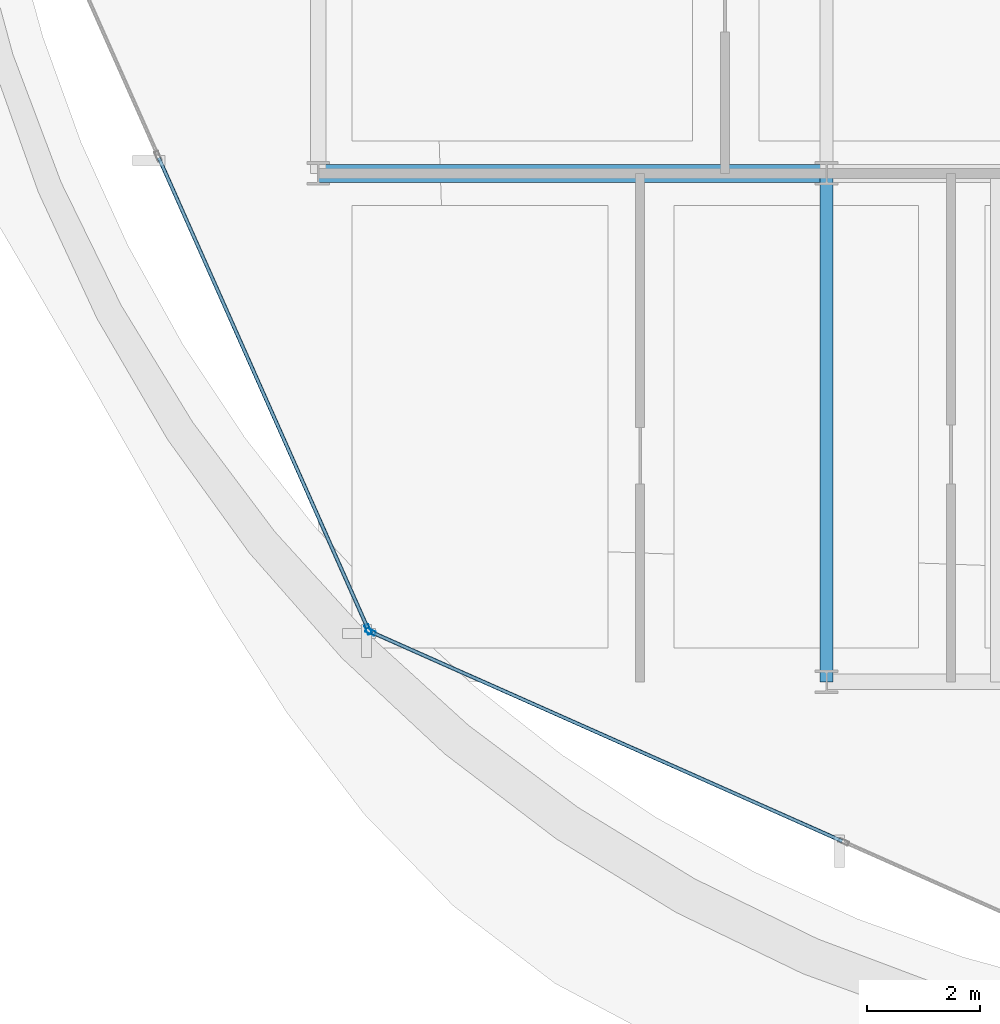
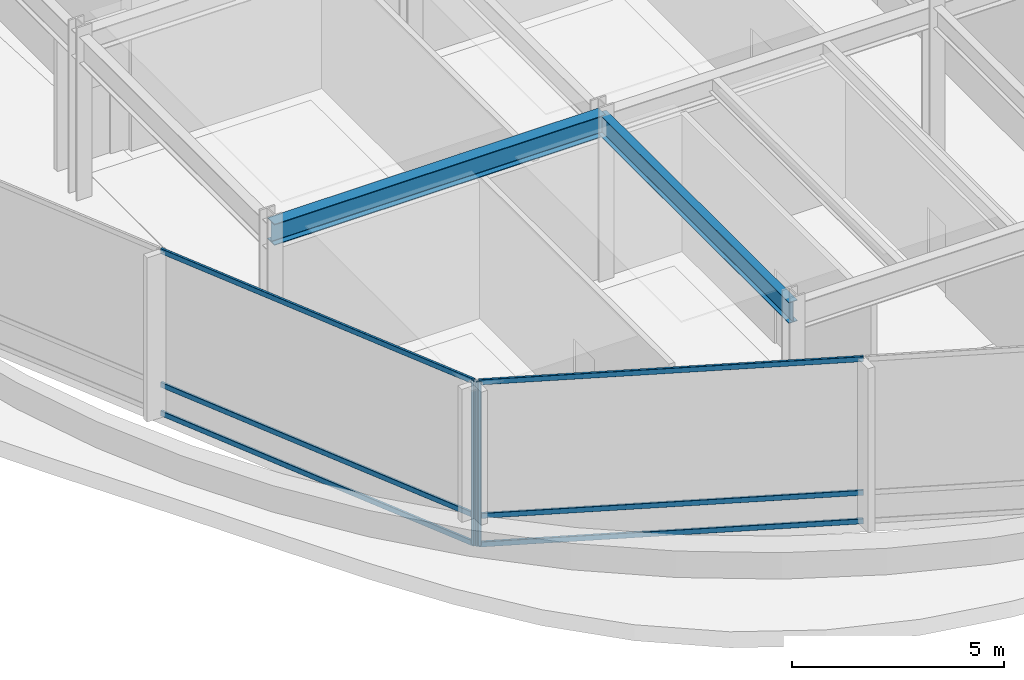
# One storey, part 2 of 29: 8 members, 2 beams, 2 elements without a shape of their own.
"""IFC4 building model written with IfcOpenShell, lengths in metres."""

from ifc_helpers import new_model, si_unit, direction, frame, origin, origin_2d, place, context, subcontext, project, spatial, hollow_rectangle, i_section, extrude, material, layer, layer_set, material_profile, profile_set, type_object, element, aggregate, save


model = new_model("IFC4")

# Units and contexts
model_context = context("Model", 3, precision=1e-05, world=origin(), true_north=direction((0.0, 1.0)))
body_context = subcontext(model_context, "Body", "Model", "MODEL_VIEW")
ifc_project = project(units=[si_unit("LENGTHUNIT", "METRE"), si_unit("AREAUNIT", "SQUARE_METRE"), si_unit("VOLUMEUNIT", "CUBIC_METRE"), si_unit("PLANEANGLEUNIT", "RADIAN"), si_unit("MASSUNIT", "GRAM", prefix="KILO")], contexts=[model_context])

# Site, building, storey
site_placement = place(None, origin())
site = spatial("IfcSite", under=ifc_project, at=site_placement, CompositionType="ELEMENT")
building_placement = place(site_placement, origin())
building = spatial("IfcBuilding", under=site, at=building_placement, Name="Solvaryn Broadcast Tower", CompositionType="ELEMENT")
storey_placement = place(building_placement, frame((0.0, 0.0, 169.199951171875)))
storey = spatial("IfcBuildingStorey", under=building, at=storey_placement, Name="L42", CompositionType="ELEMENT", Elevation=169.199951171875)

# Beams
ifc_material_1 = material(Name="Steel ASTM A992 Grade 50", Category="steel")
ifc_material_profile_1 = material_profile(ifc_material_1, i_section(OverallWidth=0.323974609375, OverallDepth=0.611083984375, WebThickness=0.0126953125, FlangeThickness=0.01904296875, FilletRadius=0.014892578125, at=origin_2d()))
ifc_profile_set_1 = profile_set([ifc_material_profile_1], Name="Steel ASTM A992 Grade 50")
beam_type_1 = type_object("IfcBeamType", Name="BM-B1-W24X104", PredefinedType="BEAM", material=ifc_profile_set_1)
beam_1_placement = place(storey_placement, frame((9.0, 18.0, 4.41455078125), z_axis=(1.0, 0.0, 0.0), x_axis=(0.0, 1.0, 0.0)))
element("IfcBeam", 1, at=beam_1_placement, inside=storey, type_object=beam_type_1, Name="L42 Primary Beam X (9-18 @ Y=18)", PredefinedType="BEAM", context=body_context, shape_type="SweptSolid", body=[
    extrude(i_section(OverallWidth=0.323974609375, OverallDepth=0.611083984375, WebThickness=0.0126953125, FlangeThickness=0.01904296875, FilletRadius=0.014892578125, at=origin_2d()), origin(), (0.0, 0.0, 1.0), 9.0),
])
ifc_material_2 = material(Name="Steel ASTM A992 Grade 50", Category="steel")
ifc_material_profile_2 = material_profile(ifc_material_2, i_section(OverallWidth=0.22802734375, OverallDepth=0.60791015625, WebThickness=0.01123046875, FlangeThickness=0.017333984375, FilletRadius=0.014892578125, at=origin_2d()))
ifc_profile_set_2 = profile_set([ifc_material_profile_2], Name="Steel ASTM A992 Grade 50")
beam_type_2 = type_object("IfcBeamType", Name="BM-B2-W24X76", PredefinedType="BEAM", material=ifc_profile_set_2)
beam_2_placement = place(storey_placement, frame((18.0, 9.0, 4.416015625), z_axis=(0.0, 1.0, 0.0), x_axis=(-1.0, 0.0, 0.0)))
element("IfcBeam", 2, at=beam_2_placement, inside=storey, type_object=beam_type_2, Name="L42 Primary Beam Y (9-18 @ X=18)", PredefinedType="BEAM", context=body_context, shape_type="SweptSolid", body=[
    extrude(i_section(OverallWidth=0.22802734375, OverallDepth=0.60791015625, WebThickness=0.01123046875, FlangeThickness=0.017333984375, FilletRadius=0.014892578125, at=origin_2d()), origin(), (0.0, 0.0, 1.0), 9.0),
])

# Curtain wall, member
ifc_material_3 = material(Name="Aluminium and Terracotta Unitised Curtain Wall", Category="masonry")
ifc_layer = layer(ifc_material_3, 0.25)
ifc_layer_set = layer_set([ifc_layer], Name="CW-SYS4-SKYGARDEN")
curtain_wall_type = type_object("IfcCurtainWallType", Name="CW-SYS4-SKYGARDEN", PredefinedType="NOTDEFINED", material=ifc_layer_set)
curtain_wall_1_placement = place(storey_placement, origin())
curtain_wall_1 = element("IfcCurtainWall", 3, at=curtain_wall_1_placement, inside=storey, type_object=curtain_wall_type, Name="L42 Curtain Wall DR2", PredefinedType="NOTDEFINED")
ifc_material_4 = material(Name="Anodised Aluminium 6063-T6", Category="aluminium")
ifc_material_profile_3 = material_profile(ifc_material_4, hollow_rectangle(XDim=0.074951171875, YDim=0.179931640625, WallThickness=0.00390625, InnerFilletRadius=0.00390625, OuterFilletRadius=0.008056640625, at=origin_2d()))
ifc_profile_set_3 = profile_set([ifc_material_profile_3], Name="Anodised Aluminium 6063-T6")
member_type_1 = type_object("IfcMemberType", Name="CW-MUL-180", PredefinedType="MULLION", material=ifc_profile_set_3)
member_1_placement = place(storey_placement, frame((9.8857421875, 9.925537109375, 0.0), z_axis=(0.0, 0.0, 1.0), x_axis=(0.913916902365, 0.405901337237, 0.0)))
member_1 = element("IfcMember", 4, at=member_1_placement, type_object=member_type_1, Name="CWS4 mullion 3", PredefinedType="MULLION", context=body_context, shape_type="SweptSolid", body=[
    extrude(hollow_rectangle(XDim=0.074951171875, YDim=0.179931640625, WallThickness=0.00390625, InnerFilletRadius=0.00390625, OuterFilletRadius=0.008056640625, at=origin_2d()), origin(), (0.0, 0.0, 1.0), 4.719970703125),
])

curtain_wall_2_placement = place(storey_placement, origin())
curtain_wall_2 = element("IfcCurtainWall", 5, at=curtain_wall_2_placement, inside=storey, type_object=curtain_wall_type, Name="L42 Curtain Wall DR3", PredefinedType="NOTDEFINED")
member_2_placement = place(storey_placement, frame((9.925537109375, 9.8857421875, 0.0), z_axis=(0.0, 0.0, 1.0), x_axis=(0.405901337237, 0.913916902365, 0.0)))
member_2 = element("IfcMember", 6, at=member_2_placement, type_object=member_type_1, Name="CWS4 mullion 1", PredefinedType="MULLION", context=body_context, shape_type="SweptSolid", body=[
    extrude(hollow_rectangle(XDim=0.074951171875, YDim=0.179931640625, WallThickness=0.00390625, InnerFilletRadius=0.00390625, OuterFilletRadius=0.008056640625, at=origin_2d()), origin(), (0.0, 0.0, 1.0), 4.719970703125),
])

# Member
ifc_material_5 = material(Name="Anodised Aluminium 6063-T6", Category="aluminium")
ifc_material_profile_4 = material_profile(ifc_material_5, hollow_rectangle(XDim=0.06494140625, YDim=0.14990234375, WallThickness=0.00390625, InnerFilletRadius=0.00390625, OuterFilletRadius=0.008056640625, at=origin_2d()))
ifc_profile_set_4 = profile_set([ifc_material_profile_4], Name="Anodised Aluminium 6063-T6")
member_type_2 = type_object("IfcMemberType", Name="CW-TRN-150", PredefinedType="USERDEFINED", material=ifc_profile_set_4)
member_3_placement = place(storey_placement, frame((6.177734375, 18.274658203125, 0.030029296875), z_axis=(0.405884700935, -0.913924290927, 0.0), x_axis=(0.913924290927, 0.405884700935, 0.0)))
member_3 = element("IfcMember", 7, at=member_3_placement, type_object=member_type_2, Name="CWS4 transom 2.1", ObjectType="TRANSOM", PredefinedType="USERDEFINED", context=body_context, shape_type="SweptSolid", body=[
    extrude(hollow_rectangle(XDim=0.06494140625, YDim=0.14990234375, WallThickness=0.00390625, InnerFilletRadius=0.00390625, OuterFilletRadius=0.008056640625, at=origin_2d()), origin(), (0.0, 0.0, 1.0), 9.10546875),
])

member_4_placement = place(storey_placement, frame((6.177734375, 18.274658203125, 0.85009765625), z_axis=(0.405884700935, -0.913924290927, 0.0), x_axis=(0.913924290927, 0.405884700935, 0.0)))
member_4 = element("IfcMember", 8, at=member_4_placement, type_object=member_type_2, Name="CWS4 transom 2.2", ObjectType="TRANSOM", PredefinedType="USERDEFINED", context=body_context, shape_type="SweptSolid", body=[
    extrude(hollow_rectangle(XDim=0.06494140625, YDim=0.14990234375, WallThickness=0.00390625, InnerFilletRadius=0.00390625, OuterFilletRadius=0.008056640625, at=origin_2d()), origin(), (0.0, 0.0, 1.0), 9.10546875),
])

member_5_placement = place(storey_placement, frame((6.177734375, 18.274658203125, 4.68994140625), z_axis=(0.405884700935, -0.913924290927, 0.0), x_axis=(0.913924290927, 0.405884700935, 0.0)))
member_5 = element("IfcMember", 9, at=member_5_placement, type_object=member_type_2, Name="CWS4 transom 2.3", ObjectType="TRANSOM", PredefinedType="USERDEFINED", context=body_context, shape_type="SweptSolid", body=[
    extrude(hollow_rectangle(XDim=0.06494140625, YDim=0.14990234375, WallThickness=0.00390625, InnerFilletRadius=0.00390625, OuterFilletRadius=0.008056640625, at=origin_2d()), origin(), (0.0, 0.0, 1.0), 9.10546875),
])

aggregate(curtain_wall_1, [member_1, member_3, member_4, member_5])

member_6_placement = place(storey_placement, frame((9.952880859375, 9.87353515625, 0.030029296875), z_axis=(0.913924290927, -0.405884700935, 0.0), x_axis=(0.405884700935, 0.913924290927, 0.0)))
member_6 = element("IfcMember", 10, at=member_6_placement, type_object=member_type_2, Name="CWS4 transom 1.1", ObjectType="TRANSOM", PredefinedType="USERDEFINED", context=body_context, shape_type="SweptSolid", body=[
    extrude(hollow_rectangle(XDim=0.06494140625, YDim=0.14990234375, WallThickness=0.00390625, InnerFilletRadius=0.00390625, OuterFilletRadius=0.008056640625, at=origin_2d()), origin(), (0.0, 0.0, 1.0), 9.10546875),
])

member_7_placement = place(storey_placement, frame((9.952880859375, 9.87353515625, 0.85009765625), z_axis=(0.913924290927, -0.405884700935, 0.0), x_axis=(0.405884700935, 0.913924290927, 0.0)))
member_7 = element("IfcMember", 11, at=member_7_placement, type_object=member_type_2, Name="CWS4 transom 1.2", ObjectType="TRANSOM", PredefinedType="USERDEFINED", context=body_context, shape_type="SweptSolid", body=[
    extrude(hollow_rectangle(XDim=0.06494140625, YDim=0.14990234375, WallThickness=0.00390625, InnerFilletRadius=0.00390625, OuterFilletRadius=0.008056640625, at=origin_2d()), origin(), (0.0, 0.0, 1.0), 9.10546875),
])

member_8_placement = place(storey_placement, frame((9.952880859375, 9.87353515625, 4.68994140625), z_axis=(0.913924290927, -0.405884700935, 0.0), x_axis=(0.405884700935, 0.913924290927, 0.0)))
member_8 = element("IfcMember", 12, at=member_8_placement, type_object=member_type_2, Name="CWS4 transom 1.3", ObjectType="TRANSOM", PredefinedType="USERDEFINED", context=body_context, shape_type="SweptSolid", body=[
    extrude(hollow_rectangle(XDim=0.06494140625, YDim=0.14990234375, WallThickness=0.00390625, InnerFilletRadius=0.00390625, OuterFilletRadius=0.008056640625, at=origin_2d()), origin(), (0.0, 0.0, 1.0), 9.10546875),
])

aggregate(curtain_wall_2, [member_2, member_6, member_7, member_8])

save(model, "model.ifc")
